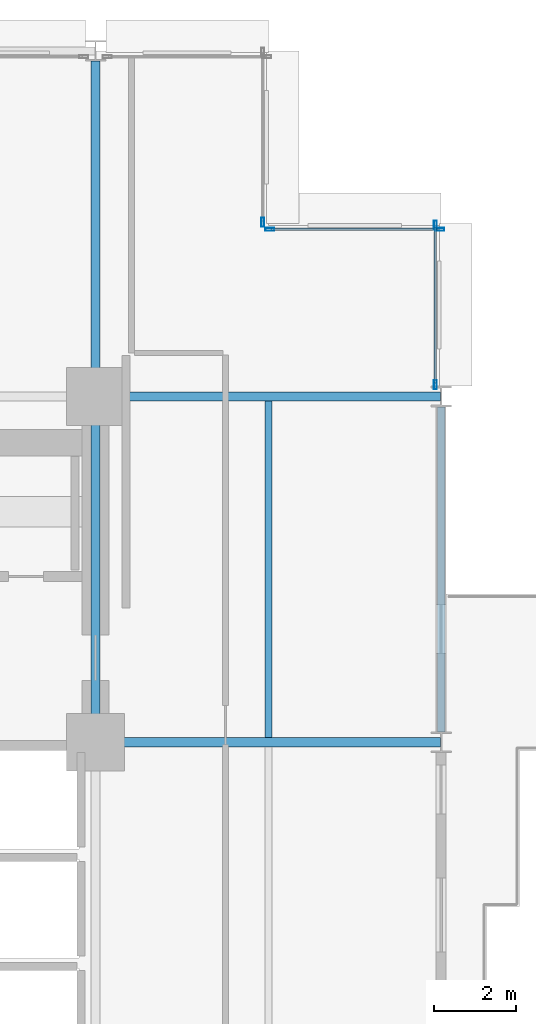
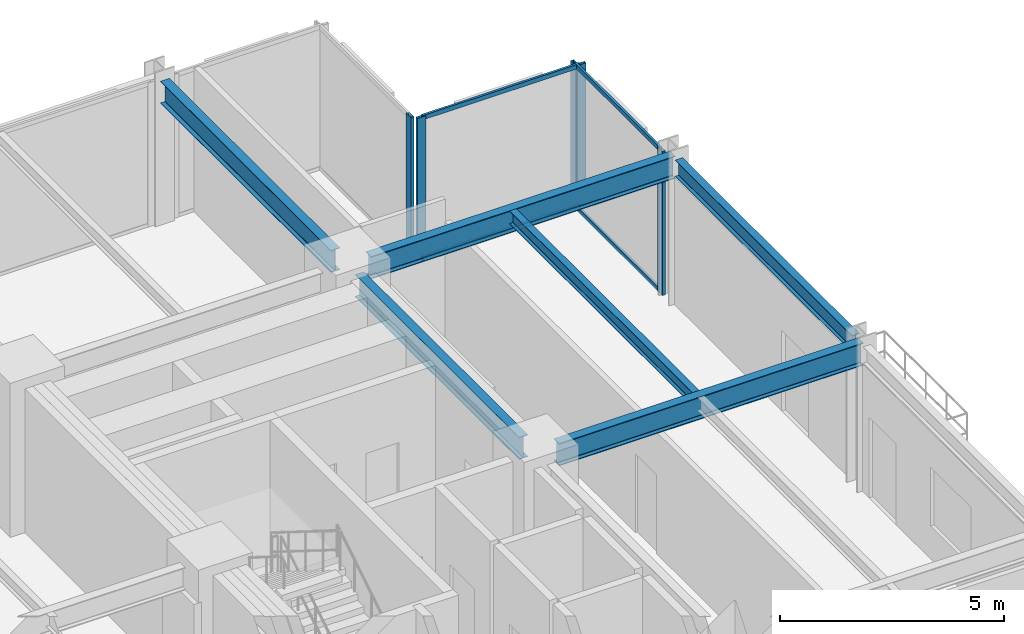
# One storey, part 16 of 25: 9 members, 6 beams, 3 elements without a shape of their own.
"""IFC4 building model written with IfcOpenShell, lengths in metres."""

from ifc_helpers import new_model, si_unit, direction, frame, origin, origin_2d, place, context, subcontext, project, spatial, hollow_rectangle, i_section, extrude, material, layer, layer_set, material_profile, profile_set, type_object, element, aggregate, save


model = new_model("IFC4")

# Units and contexts
model_context = context("Model", 3, precision=1e-05, world=origin(), true_north=direction((0.0, 1.0)))
body_context = subcontext(model_context, "Body", "Model", "MODEL_VIEW")
ifc_project = project(units=[si_unit("LENGTHUNIT", "METRE"), si_unit("AREAUNIT", "SQUARE_METRE"), si_unit("VOLUMEUNIT", "CUBIC_METRE"), si_unit("PLANEANGLEUNIT", "RADIAN"), si_unit("MASSUNIT", "GRAM", prefix="KILO")], contexts=[model_context])

# Site, building, storey
site_placement = place(None, origin())
site = spatial("IfcSite", under=ifc_project, at=site_placement, CompositionType="ELEMENT")
building_placement = place(site_placement, origin())
building = spatial("IfcBuilding", under=site, at=building_placement, Name="Nerrivon Quay Data Exchange", CompositionType="ELEMENT")
storey_placement = place(building_placement, frame((0.0, 0.0, 41.60009765625)))
storey = spatial("IfcBuildingStorey", under=building, at=storey_placement, Name="L09", CompositionType="ELEMENT", Elevation=41.60009765625)

# Beams
ifc_material_1 = material(Name="Steel Grade 350", Category="steel")
ifc_material_profile_1 = material_profile(ifc_material_1, i_section(OverallWidth=0.22900390625, OverallDepth=0.612060546875, WebThickness=0.011962890625, FlangeThickness=0.01953125, FilletRadius=0.013916015625, at=origin_2d()), Name="610UB125")
ifc_profile_set_1 = profile_set([ifc_material_profile_1], Name="Steel Grade 350")
beam_type_1 = type_object("IfcBeamType", Name="BM-G1-610UB125", PredefinedType="BEAM", material=ifc_profile_set_1)
for number, where, z_axis, x_axis, name in (
    (1, (17.340087890625, 33.60009765625, 3.618896484375), (1.0, 0.0, 0.0), (0.0, 1.0, 0.0), "L09 EW Girder Y=33.6 (16.8..25.2)"),
    (2, (17.340087890625, 42.0, 3.618896484375), (1.0, 0.0, 0.0), (0.0, 1.0, 0.0), "L09 EW Girder Y=42.0 (16.8..25.2)"),
):
    element("IfcBeam", number, at=place(storey_placement, frame(where, z_axis=z_axis, x_axis=x_axis)), inside=storey, type_object=beam_type_1, Name=name, PredefinedType="BEAM", context=body_context, shape_type="SweptSolid", body=[
        extrude(i_section(OverallWidth=0.22900390625, OverallDepth=0.612060546875, WebThickness=0.011962890625, FlangeThickness=0.01953125, FilletRadius=0.013916015625, at=origin_2d()), origin(), (0.0, 0.0, 1.0), 7.845947265625),
    ])
ifc_material_profile_2 = material_profile(ifc_material_1, i_section(OverallWidth=0.22802734375, OverallDepth=0.60205078125, WebThickness=0.010498046875, FlangeThickness=0.014892578125, FilletRadius=0.013916015625, at=origin_2d()), Name="610UB101")
ifc_profile_set_2 = profile_set([ifc_material_profile_2], Name="Steel Grade 350")
beam_type_2 = type_object("IfcBeamType", Name="BM-G2-610UB101", PredefinedType="BEAM", material=ifc_profile_set_2)
beam_1_placement = place(storey_placement, frame((16.800048828125, 34.139892578125, 3.6240234375), z_axis=(0.0, 1.0, 0.0), x_axis=(-1.0, 0.0, 0.0)))
element("IfcBeam", 3, at=beam_1_placement, inside=storey, type_object=beam_type_2, Name="L09 NS Girder X=16.8 (33.6..42.0)", PredefinedType="BEAM", context=body_context, shape_type="SweptSolid", body=[
    extrude(i_section(OverallWidth=0.22802734375, OverallDepth=0.60205078125, WebThickness=0.010498046875, FlangeThickness=0.014892578125, FilletRadius=0.013916015625, at=origin_2d()), origin(), (0.0, 0.0, 1.0), 7.320068359375),
])
beam_2_placement = place(storey_placement, frame((16.800048828125, 42.5400390625, 3.6240234375), z_axis=(0.0, 1.0, 0.0), x_axis=(-1.0, 0.0, 0.0)))
element("IfcBeam", 4, at=beam_2_placement, inside=storey, type_object=beam_type_2, Name="L09 NS Girder X=16.8 (42.0..50.4)", PredefinedType="BEAM", context=body_context, shape_type="SweptSolid", body=[
    extrude(i_section(OverallWidth=0.22802734375, OverallDepth=0.60205078125, WebThickness=0.010498046875, FlangeThickness=0.014892578125, FilletRadius=0.013916015625, at=origin_2d()), origin(), (0.0, 0.0, 1.0), 7.60986328125),
])
ifc_material_profile_3 = material_profile(ifc_material_1, i_section(OverallWidth=0.172119140625, OverallDepth=0.35888671875, WebThickness=0.008056640625, FlangeThickness=0.012939453125, FilletRadius=0.011474609375, at=origin_2d()), Name="360UB56.7")
ifc_profile_set_3 = profile_set([ifc_material_profile_3], Name="Steel Grade 350")
beam_type_3 = type_object("IfcBeamType", Name="BM-J3-360UB57", PredefinedType="JOIST", material=ifc_profile_set_3)
beam_3_placement = place(storey_placement, frame((21.0, 33.714599609375, 3.745361328125), z_axis=(0.0, 1.0, 0.0), x_axis=(-1.0, 0.0, 0.0)))
element("IfcBeam", 5, at=beam_3_placement, inside=storey, type_object=beam_type_3, Name="L09 Secondary Joist X=21.0 (33.6..42.0)", PredefinedType="JOIST", context=body_context, shape_type="SweptSolid", body=[
    extrude(i_section(OverallWidth=0.172119140625, OverallDepth=0.35888671875, WebThickness=0.008056640625, FlangeThickness=0.012939453125, FilletRadius=0.011474609375, at=origin_2d()), origin(), (0.0, 0.0, 1.0), 8.1708984375),
])
ifc_material_profile_4 = material_profile(ifc_material_1, i_section(OverallWidth=0.18994140625, OverallDepth=0.4541015625, WebThickness=0.008544921875, FlangeThickness=0.0126953125, FilletRadius=0.011474609375, at=origin_2d()), Name="460UB67.1")
ifc_profile_set_4 = profile_set([ifc_material_profile_4], Name="Steel Grade 350")
beam_type_4 = type_object("IfcBeamType", Name="BM-SP1-460UB67", PredefinedType="SPANDREL", material=ifc_profile_set_4)
beam_4_placement = place(storey_placement, frame((25.199951171875, 33.85009765625, 3.697998046875), z_axis=(0.0, 1.0, 0.0), x_axis=(-1.0, 0.0, 0.0)))
element("IfcBeam", 6, at=beam_4_placement, inside=storey, type_object=beam_type_4, Name="L09 NS Girder X=25.2 (33.6..42.0)", PredefinedType="SPANDREL", context=body_context, shape_type="SweptSolid", body=[
    extrude(i_section(OverallWidth=0.18994140625, OverallDepth=0.4541015625, WebThickness=0.008544921875, FlangeThickness=0.0126953125, FilletRadius=0.011474609375, at=origin_2d()), origin(), (0.0, 0.0, 1.0), 7.89990234375),
])

# Curtain wall, member
ifc_material_2 = material(Name="Anodised aluminium 6063-T6", Category="aluminium")
ifc_layer = layer(ifc_material_2, 0.219970703125)
ifc_layer_set = layer_set([ifc_layer], Name="Anodised aluminium 6063-T6")
curtain_wall_type = type_object("IfcCurtainWallType", Name="CW-SYS-01", PredefinedType="NOTDEFINED", material=ifc_layer_set)
curtain_wall_1_placement = place(storey_placement, origin())
curtain_wall_1 = element("IfcCurtainWall", 7, at=curtain_wall_1_placement, inside=storey, type_object=curtain_wall_type, Name="L09 Unitised Curtain Wall 23", PredefinedType="NOTDEFINED")
ifc_material_profile_5 = material_profile(ifc_material_2, hollow_rectangle(XDim=0.074951171875, YDim=0.219970703125, WallThickness=0.00390625, at=origin_2d()), Name="ALU-MULL-220x75")
ifc_profile_set_5 = profile_set([ifc_material_profile_5], Name="Anodised aluminium 6063-T6")
member_type_1 = type_object("IfcMemberType", Name="CWM-220x75", PredefinedType="MULLION", material=ifc_profile_set_5)
member_1_placement = place(storey_placement, frame((20.860107421875, 46.237548828125, 0.0), z_axis=(0.0, 0.0, 1.0), x_axis=(1.0, 0.0, 0.0)))
member_1 = element("IfcMember", 8, at=member_1_placement, type_object=member_type_1, Name="CW01 mullion 2", PredefinedType="MULLION", context=body_context, shape_type="SweptSolid", body=[
    extrude(hollow_rectangle(XDim=0.074951171875, YDim=0.219970703125, WallThickness=0.00390625, at=origin_2d()), origin(), (0.0, 0.0, 1.0), 3.9248046875),
])
aggregate(curtain_wall_1, [member_1])

# Curtain wall, members
curtain_wall_2_placement = place(storey_placement, origin())
curtain_wall_2 = element("IfcCurtainWall", 9, at=curtain_wall_2_placement, inside=storey, type_object=curtain_wall_type, Name="L09 Unitised Curtain Wall 24", PredefinedType="NOTDEFINED")
member_2_placement = place(storey_placement, frame((21.03759765625, 46.06005859375, 0.0), z_axis=(0.0, 0.0, 1.0), x_axis=(0.0, 1.0, 0.0)))
member_2 = element("IfcMember", 10, at=member_2_placement, type_object=member_type_1, Name="CW01 mullion 1", PredefinedType="MULLION", context=body_context, shape_type="SweptSolid", body=[
    extrude(hollow_rectangle(XDim=0.074951171875, YDim=0.219970703125, WallThickness=0.00390625, at=origin_2d()), origin(), (0.0, 0.0, 1.0), 3.9248046875),
])
member_3_placement = place(storey_placement, frame((25.16259765625, 46.06005859375, 0.0), z_axis=(0.0, 0.0, 1.0), x_axis=(0.0, 1.0, 0.0)))
member_3 = element("IfcMember", 11, at=member_3_placement, type_object=member_type_1, Name="CW01 mullion 2", PredefinedType="MULLION", context=body_context, shape_type="SweptSolid", body=[
    extrude(hollow_rectangle(XDim=0.074951171875, YDim=0.219970703125, WallThickness=0.00390625, at=origin_2d()), origin(), (0.0, 0.0, 1.0), 3.9248046875),
])

curtain_wall_3_placement = place(storey_placement, origin())
curtain_wall_3 = element("IfcCurtainWall", 12, at=curtain_wall_3_placement, inside=storey, type_object=curtain_wall_type, Name="L09 Unitised Curtain Wall 25", PredefinedType="NOTDEFINED")
member_4_placement = place(storey_placement, frame((25.06005859375, 46.16259765625, 0.0), z_axis=(0.0, 0.0, 1.0), x_axis=(1.0, 0.0, 0.0)))
member_4 = element("IfcMember", 13, at=member_4_placement, type_object=member_type_1, Name="CW01 mullion 1", PredefinedType="MULLION", context=body_context, shape_type="SweptSolid", body=[
    extrude(hollow_rectangle(XDim=0.074951171875, YDim=0.219970703125, WallThickness=0.00390625, at=origin_2d()), origin(), (0.0, 0.0, 1.0), 3.9248046875),
])
member_5_placement = place(storey_placement, frame((25.06005859375, 42.28759765625, 0.0), z_axis=(0.0, 0.0, 1.0), x_axis=(1.0, 0.0, 0.0)))
member_5 = element("IfcMember", 14, at=member_5_placement, type_object=member_type_1, Name="CW01 mullion 2", PredefinedType="MULLION", context=body_context, shape_type="SweptSolid", body=[
    extrude(hollow_rectangle(XDim=0.074951171875, YDim=0.219970703125, WallThickness=0.00390625, at=origin_2d()), origin(), (0.0, 0.0, 1.0), 3.9248046875),
])

# Member
ifc_material_profile_6 = material_profile(ifc_material_2, hollow_rectangle(XDim=0.06005859375, YDim=0.1201171875, WallThickness=0.003173828125, at=origin_2d()), Name="ALU-TRAN-120x60")
ifc_profile_set_6 = profile_set([ifc_material_profile_6], Name="Anodised aluminium 6063-T6")
member_type_2 = type_object("IfcMemberType", Name="CWT-120x60", PredefinedType="USERDEFINED", material=ifc_profile_set_6)
member_6_placement = place(storey_placement, frame((21.074951171875, 46.06005859375, 0.032470703125), z_axis=(1.0, 0.0, 0.0), x_axis=(0.0, 1.0, 0.0)))
member_6 = element("IfcMember", 15, at=member_6_placement, type_object=member_type_2, Name="CW01 transom 1.1", ObjectType="TRANSOM", PredefinedType="USERDEFINED", context=body_context, shape_type="SweptSolid", body=[
    extrude(hollow_rectangle(XDim=0.06005859375, YDim=0.1201171875, WallThickness=0.003173828125, at=origin_2d()), origin(), (0.0, 0.0, 1.0), 4.050048828125),
])

member_7_placement = place(storey_placement, frame((21.074951171875, 46.06005859375, 3.892333984375), z_axis=(1.0, 0.0, 0.0), x_axis=(0.0, 1.0, 0.0)))
member_7 = element("IfcMember", 16, at=member_7_placement, type_object=member_type_2, Name="CW01 transom 1.2", ObjectType="TRANSOM", PredefinedType="USERDEFINED", context=body_context, shape_type="SweptSolid", body=[
    extrude(hollow_rectangle(XDim=0.06005859375, YDim=0.1201171875, WallThickness=0.003173828125, at=origin_2d()), origin(), (0.0, 0.0, 1.0), 4.050048828125),
])

aggregate(curtain_wall_2, [member_2, member_3, member_6, member_7])

member_8_placement = place(storey_placement, frame((25.06005859375, 46.125, 0.032470703125), z_axis=(0.0, -1.0, 0.0), x_axis=(1.0, 0.0, 0.0)))
member_8 = element("IfcMember", 17, at=member_8_placement, type_object=member_type_2, Name="CW01 transom 1.1", ObjectType="TRANSOM", PredefinedType="USERDEFINED", context=body_context, shape_type="SweptSolid", body=[
    extrude(hollow_rectangle(XDim=0.06005859375, YDim=0.1201171875, WallThickness=0.003173828125, at=origin_2d()), origin(), (0.0, 0.0, 1.0), 3.800048828125),
])

member_9_placement = place(storey_placement, frame((25.06005859375, 46.125, 3.892333984375), z_axis=(0.0, -1.0, 0.0), x_axis=(1.0, 0.0, 0.0)))
member_9 = element("IfcMember", 18, at=member_9_placement, type_object=member_type_2, Name="CW01 transom 1.2", ObjectType="TRANSOM", PredefinedType="USERDEFINED", context=body_context, shape_type="SweptSolid", body=[
    extrude(hollow_rectangle(XDim=0.06005859375, YDim=0.1201171875, WallThickness=0.003173828125, at=origin_2d()), origin(), (0.0, 0.0, 1.0), 3.800048828125),
])

aggregate(curtain_wall_3, [member_4, member_5, member_8, member_9])

save(model, "model.ifc")
